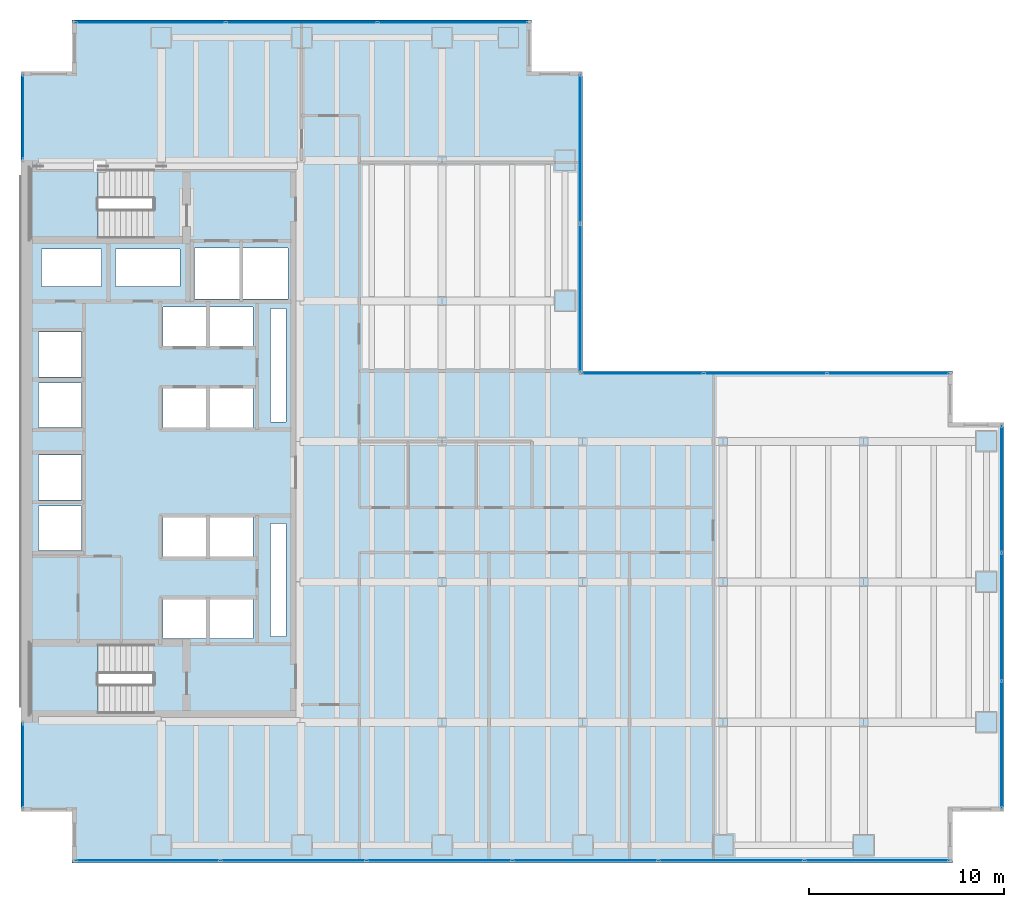
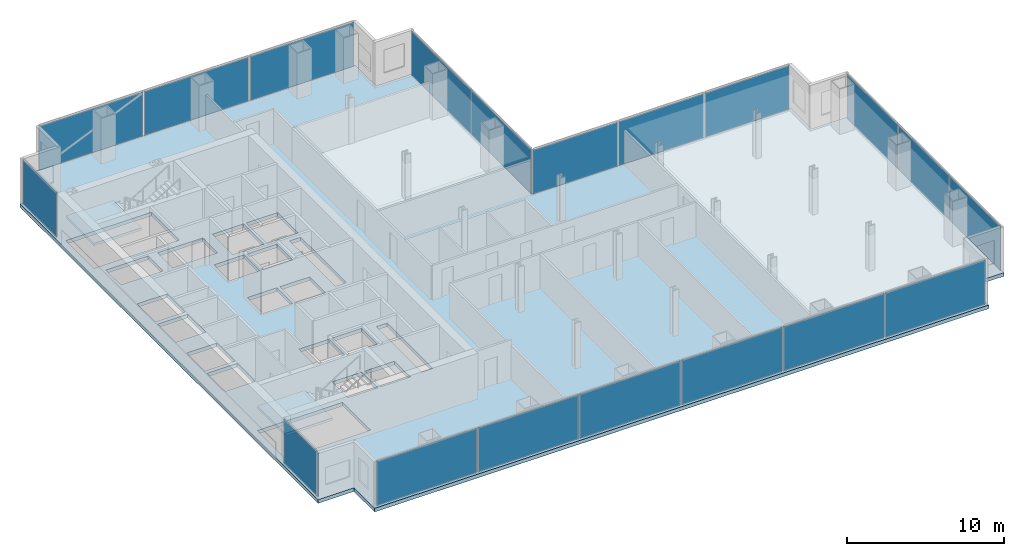
# One storey, part 19 of 25: 19 plates, 3 slabs, 20 openings, 9 elements without a shape of their own.
"""IFC4 building model written with IfcOpenShell, lengths in metres."""

from ifc_helpers import new_model, si_unit, direction, frame, origin, origin_2d, place, context, subcontext, project, spatial, polyline, rectangle, outline, extrude, material, layer, layer_set, type_object, element, aggregate, save


model = new_model("IFC4")

# Units and contexts
model_context = context("Model", 3, precision=1e-05, world=origin(), true_north=direction((0.0, 1.0)))
body_context = subcontext(model_context, "Body", "Model", "MODEL_VIEW")
ifc_project = project(units=[si_unit("LENGTHUNIT", "METRE"), si_unit("AREAUNIT", "SQUARE_METRE"), si_unit("VOLUMEUNIT", "CUBIC_METRE"), si_unit("PLANEANGLEUNIT", "RADIAN"), si_unit("MASSUNIT", "GRAM", prefix="KILO")], contexts=[model_context])

# Site, building, storey
site_placement = place(None, origin())
site = spatial("IfcSite", under=ifc_project, at=site_placement, CompositionType="ELEMENT")
building_placement = place(site_placement, origin())
building = spatial("IfcBuilding", under=site, at=building_placement, Name="Cobrela Telecom Tower", CompositionType="ELEMENT")
storey_placement = place(building_placement, frame((0.0, 0.0, 42.699951171875)))
storey = spatial("IfcBuildingStorey", under=building, at=storey_placement, Name="L10", CompositionType="ELEMENT", Elevation=42.699951171875)

# Curtain wall, plate
ifc_material_1 = material(Name="Anodized Bronze Aluminium 6063-T6", Category="aluminium")
curtain_wall_type = type_object("IfcCurtainWallType", Name="CW-SYS-DATA", PredefinedType="USERDEFINED", material=ifc_material_1)
curtain_wall_1_placement = place(storey_placement, origin())
curtain_wall_1 = element("IfcCurtainWall", 1, at=curtain_wall_1_placement, inside=storey, type_object=curtain_wall_type, Name="L10 Unitised Bronze Curtain Wall 03", ObjectType="UNITISED CURTAIN WALL", PredefinedType="USERDEFINED")
ifc_material_2 = material(Name="Solar-Control Bronze Low-E Glass", Category="glass")
ifc_layer_1 = layer(ifc_material_2, 0.0380859375)
ifc_layer_set_1 = layer_set([ifc_layer_1], Name="Solar-Control Bronze Low-E Glass")
plate_type = type_object("IfcPlateType", Name="CW-SYS-DATA-PNL", PredefinedType="CURTAIN_PANEL", material=ifc_layer_set_1)
plate_1_placement = place(storey_placement, frame((0.1201171875, 4.97509765625, 0.0751953125), z_axis=(0.0, 0.0, 1.0), x_axis=(0.0, 1.0, 0.0)))
plate_1 = element("IfcPlate", 2, at=plate_1_placement, type_object=plate_type, Name="CW-DATA panel 1.1", PredefinedType="CURTAIN_PANEL", context=body_context, shape_type="SweptSolid", body=[
    extrude(rectangle(XDim=4.2900390625, YDim=0.0380859375, at=origin_2d()), origin(), (0.0, 0.0, 1.0), 3.419921875),
])
aggregate(curtain_wall_1, [plate_1])

curtain_wall_2_placement = place(storey_placement, origin())
curtain_wall_2 = element("IfcCurtainWall", 3, at=curtain_wall_2_placement, inside=storey, type_object=curtain_wall_type, Name="L10 Unitised Bronze Curtain Wall 04", ObjectType="UNITISED CURTAIN WALL", PredefinedType="USERDEFINED")
plate_2_placement = place(storey_placement, frame((0.1201171875, 38.22509765625, 0.0751953125), z_axis=(0.0, 0.0, 1.0), x_axis=(0.0, 1.0, 0.0)))
plate_2 = element("IfcPlate", 4, at=plate_2_placement, type_object=plate_type, Name="CW-DATA panel 1.1", PredefinedType="CURTAIN_PANEL", context=body_context, shape_type="SweptSolid", body=[
    extrude(rectangle(XDim=4.2900390625, YDim=0.0380859375, at=origin_2d()), origin(), (0.0, 0.0, 1.0), 3.419921875),
])
aggregate(curtain_wall_2, [plate_2])

# Curtain wall, plates
curtain_wall_3_placement = place(storey_placement, origin())
curtain_wall_3 = element("IfcCurtainWall", 5, at=curtain_wall_3_placement, inside=storey, type_object=curtain_wall_type, Name="L10 Unitised Bronze Curtain Wall 07", ObjectType="UNITISED CURTAIN WALL", PredefinedType="USERDEFINED")
plate_3_placement = place(storey_placement, frame((6.6533203125, 43.080078125, 0.0751953125), z_axis=(0.0, 0.0, 1.0), x_axis=(1.0, 0.0, 0.0)))
plate_3 = element("IfcPlate", 6, at=plate_3_placement, type_object=plate_type, Name="CW-DATA panel 1.1", PredefinedType="CURTAIN_PANEL", context=body_context, shape_type="SweptSolid", body=[
    extrude(rectangle(XDim=7.646728515625, YDim=0.0380859375, at=origin_2d()), origin(), (0.0, 0.0, 1.0), 3.419921875),
])
plate_4_placement = place(storey_placement, frame((14.39990234375, 43.080078125, 0.0751953125), z_axis=(0.0, 0.0, 1.0), x_axis=(1.0, 0.0, 0.0)))
plate_4 = element("IfcPlate", 7, at=plate_4_placement, type_object=plate_type, Name="CW-DATA panel 2.1", PredefinedType="CURTAIN_PANEL", context=body_context, shape_type="SweptSolid", body=[
    extrude(rectangle(XDim=7.686767578125, YDim=0.0380859375, at=origin_2d()), origin(), (0.0, 0.0, 1.0), 3.419921875),
])
plate_5_placement = place(storey_placement, frame((22.146728515625, 43.080078125, 0.0751953125), z_axis=(0.0, 0.0, 1.0), x_axis=(1.0, 0.0, 0.0)))
plate_5 = element("IfcPlate", 8, at=plate_5_placement, type_object=plate_type, Name="CW-DATA panel 3.1", PredefinedType="CURTAIN_PANEL", context=body_context, shape_type="SweptSolid", body=[
    extrude(rectangle(XDim=7.646728515625, YDim=0.0380859375, at=origin_2d()), origin(), (0.0, 0.0, 1.0), 3.419921875),
])
aggregate(curtain_wall_3, [plate_3, plate_4, plate_5])

curtain_wall_4_placement = place(storey_placement, origin())
curtain_wall_4 = element("IfcCurtainWall", 9, at=curtain_wall_4_placement, inside=storey, type_object=curtain_wall_type, Name="L10 Unitised Bronze Curtain Wall 10", ObjectType="UNITISED CURTAIN WALL", PredefinedType="USERDEFINED")
plate_6_placement = place(storey_placement, frame((28.679931640625, 36.58740234375, 0.0751953125), z_axis=(0.0, 0.0, 1.0), x_axis=(0.0, -1.0, 0.0)))
plate_6 = element("IfcPlate", 10, at=plate_6_placement, type_object=plate_type, Name="CW-DATA panel 1.1", PredefinedType="CURTAIN_PANEL", context=body_context, shape_type="SweptSolid", body=[
    extrude(rectangle(XDim=7.56494140625, YDim=0.0380859375, at=origin_2d()), origin(), (0.0, 0.0, 1.0), 3.419921875),
])
plate_7_placement = place(storey_placement, frame((28.679931640625, 28.9423828125, 0.0751953125), z_axis=(0.0, 0.0, 1.0), x_axis=(0.0, -1.0, 0.0)))
plate_7 = element("IfcPlate", 11, at=plate_7_placement, type_object=plate_type, Name="CW-DATA panel 2.1", PredefinedType="CURTAIN_PANEL", context=body_context, shape_type="SweptSolid", body=[
    extrude(rectangle(XDim=7.56494140625, YDim=0.0380859375, at=origin_2d()), origin(), (0.0, 0.0, 1.0), 3.419921875),
])
aggregate(curtain_wall_4, [plate_6, plate_7])

curtain_wall_5_placement = place(storey_placement, origin())
curtain_wall_5 = element("IfcCurtainWall", 12, at=curtain_wall_5_placement, inside=storey, type_object=curtain_wall_type, Name="L10 Unitised Bronze Curtain Wall 11", ObjectType="UNITISED CURTAIN WALL", PredefinedType="USERDEFINED")
plate_8_placement = place(storey_placement, frame((31.861572265625, 25.080078125, 0.0751953125), z_axis=(0.0, 0.0, 1.0), x_axis=(1.0, 0.0, 0.0)))
plate_8 = element("IfcPlate", 13, at=plate_8_placement, type_object=plate_type, Name="CW-DATA panel 1.1", PredefinedType="CURTAIN_PANEL", context=body_context, shape_type="SweptSolid", body=[
    extrude(rectangle(XDim=6.203369140625, YDim=0.0380859375, at=origin_2d()), origin(), (0.0, 0.0, 1.0), 3.419921875),
])
plate_9_placement = place(storey_placement, frame((38.1650390625, 25.080078125, 0.0751953125), z_axis=(0.0, 0.0, 1.0), x_axis=(1.0, 0.0, 0.0)))
plate_9 = element("IfcPlate", 14, at=plate_9_placement, type_object=plate_type, Name="CW-DATA panel 2.1", PredefinedType="CURTAIN_PANEL", context=body_context, shape_type="SweptSolid", body=[
    extrude(rectangle(XDim=6.243408203125, YDim=0.0380859375, at=origin_2d()), origin(), (0.0, 0.0, 1.0), 3.419921875),
])
plate_10_placement = place(storey_placement, frame((44.46826171875, 25.080078125, 0.0751953125), z_axis=(0.0, 0.0, 1.0), x_axis=(1.0, 0.0, 0.0)))
plate_10 = element("IfcPlate", 15, at=plate_10_placement, type_object=plate_type, Name="CW-DATA panel 3.1", PredefinedType="CURTAIN_PANEL", context=body_context, shape_type="SweptSolid", body=[
    extrude(rectangle(XDim=6.203369140625, YDim=0.0380859375, at=origin_2d()), origin(), (0.0, 0.0, 1.0), 3.419921875),
])
aggregate(curtain_wall_5, [plate_8, plate_9, plate_10])

curtain_wall_6_placement = place(storey_placement, origin())
curtain_wall_6 = element("IfcCurtainWall", 16, at=curtain_wall_6_placement, inside=storey, type_object=curtain_wall_type, Name="L10 Unitised Bronze Curtain Wall 14", ObjectType="UNITISED CURTAIN WALL", PredefinedType="USERDEFINED")
plate_11_placement = place(storey_placement, frame((50.280029296875, 19.146728515625, 0.0751953125), z_axis=(0.0, 0.0, 1.0), x_axis=(0.0, -1.0, 0.0)))
plate_11 = element("IfcPlate", 17, at=plate_11_placement, type_object=plate_type, Name="CW-DATA panel 1.1", PredefinedType="CURTAIN_PANEL", context=body_context, shape_type="SweptSolid", body=[
    extrude(rectangle(XDim=6.44677734375, YDim=0.0380859375, at=origin_2d()), origin(), (0.0, 0.0, 1.0), 3.419921875),
])
plate_12_placement = place(storey_placement, frame((50.280029296875, 12.60009765625, 0.0751953125), z_axis=(0.0, 0.0, 1.0), x_axis=(0.0, -1.0, 0.0)))
plate_12 = element("IfcPlate", 18, at=plate_12_placement, type_object=plate_type, Name="CW-DATA panel 2.1", PredefinedType="CURTAIN_PANEL", context=body_context, shape_type="SweptSolid", body=[
    extrude(rectangle(XDim=6.486572265625, YDim=0.0380859375, at=origin_2d()), origin(), (0.0, 0.0, 1.0), 3.419921875),
])
plate_13_placement = place(storey_placement, frame((50.280029296875, 6.05322265625, 0.0751953125), z_axis=(0.0, 0.0, 1.0), x_axis=(0.0, -1.0, 0.0)))
plate_13 = element("IfcPlate", 19, at=plate_13_placement, type_object=plate_type, Name="CW-DATA panel 3.1", PredefinedType="CURTAIN_PANEL", context=body_context, shape_type="SweptSolid", body=[
    extrude(rectangle(XDim=6.44677734375, YDim=0.0380859375, at=origin_2d()), origin(), (0.0, 0.0, 1.0), 3.419921875),
])
aggregate(curtain_wall_6, [plate_11, plate_12, plate_13])

curtain_wall_7_placement = place(storey_placement, origin())
curtain_wall_7 = element("IfcCurtainWall", 20, at=curtain_wall_7_placement, inside=storey, type_object=curtain_wall_type, Name="L10 Unitised Bronze Curtain Wall 17", ObjectType="UNITISED CURTAIN WALL", PredefinedType="USERDEFINED")
plate_14_placement = place(storey_placement, frame((43.888427734375, 0.1201171875, 0.0751953125), z_axis=(0.0, 0.0, 1.0), x_axis=(-1.0, 0.0, 0.0)))
plate_14 = element("IfcPlate", 21, at=plate_14_placement, type_object=plate_type, Name="CW-DATA panel 1.1", PredefinedType="CURTAIN_PANEL", context=body_context, shape_type="SweptSolid", body=[
    extrude(rectangle(XDim=7.36328125, YDim=0.0380859375, at=origin_2d()), origin(), (0.0, 0.0, 1.0), 3.419921875),
])
plate_15_placement = place(storey_placement, frame((36.425048828125, 0.1201171875, 0.0751953125), z_axis=(0.0, 0.0, 1.0), x_axis=(-1.0, 0.0, 0.0)))
plate_15 = element("IfcPlate", 22, at=plate_15_placement, type_object=plate_type, Name="CW-DATA panel 2.1", PredefinedType="CURTAIN_PANEL", context=body_context, shape_type="SweptSolid", body=[
    extrude(rectangle(XDim=7.4033203125, YDim=0.0380859375, at=origin_2d()), origin(), (0.0, 0.0, 1.0), 3.419921875),
])
plate_16_placement = place(storey_placement, frame((28.941650390625, 0.1201171875, 0.0751953125), z_axis=(0.0, 0.0, 1.0), x_axis=(-1.0, 0.0, 0.0)))
plate_16 = element("IfcPlate", 23, at=plate_16_placement, type_object=plate_type, Name="CW-DATA panel 3.1", PredefinedType="CURTAIN_PANEL", context=body_context, shape_type="SweptSolid", body=[
    extrude(rectangle(XDim=7.4033203125, YDim=0.0380859375, at=origin_2d()), origin(), (0.0, 0.0, 1.0), 3.419921875),
])
plate_17_placement = place(storey_placement, frame((21.458251953125, 0.1201171875, 0.0751953125), z_axis=(0.0, 0.0, 1.0), x_axis=(-1.0, 0.0, 0.0)))
plate_17 = element("IfcPlate", 24, at=plate_17_placement, type_object=plate_type, Name="CW-DATA panel 4.1", PredefinedType="CURTAIN_PANEL", context=body_context, shape_type="SweptSolid", body=[
    extrude(rectangle(XDim=7.4033203125, YDim=0.0380859375, at=origin_2d()), origin(), (0.0, 0.0, 1.0), 3.419921875),
])
plate_18_placement = place(storey_placement, frame((13.97509765625, 0.1201171875, 0.0751953125), z_axis=(0.0, 0.0, 1.0), x_axis=(-1.0, 0.0, 0.0)))
plate_18 = element("IfcPlate", 25, at=plate_18_placement, type_object=plate_type, Name="CW-DATA panel 5.1", PredefinedType="CURTAIN_PANEL", context=body_context, shape_type="SweptSolid", body=[
    extrude(rectangle(XDim=7.4033203125, YDim=0.0380859375, at=origin_2d()), origin(), (0.0, 0.0, 1.0), 3.419921875),
])
plate_19_placement = place(storey_placement, frame((6.51171875, 0.1201171875, 0.0751953125), z_axis=(0.0, 0.0, 1.0), x_axis=(-1.0, 0.0, 0.0)))
plate_19 = element("IfcPlate", 26, at=plate_19_placement, type_object=plate_type, Name="CW-DATA panel 6.1", PredefinedType="CURTAIN_PANEL", context=body_context, shape_type="SweptSolid", body=[
    extrude(rectangle(XDim=7.36328125, YDim=0.0380859375, at=origin_2d()), origin(), (0.0, 0.0, 1.0), 3.419921875),
])
aggregate(curtain_wall_7, [plate_14, plate_15, plate_16, plate_17, plate_18, plate_19])

# Slab, openings
ifc_material_3 = material(Name="Concrete C40/50", Category="concrete")
ifc_layer_2 = layer(ifc_material_3, 0.280029296875)
ifc_layer_set_2 = layer_set([ifc_layer_2], Name="Concrete C40/50")
slab_type_1 = type_object("IfcSlabType", Name="SLAB-FLR-280", PredefinedType="FLOOR", material=ifc_layer_set_2)
slab_1_placement = place(storey_placement, frame((0.0, 0.0, -0.280029296875)))
slab_1 = element("IfcSlab", 27, at=slab_1_placement, inside=storey, type_object=slab_type_1, Name="L10 Structural Floor Slab", PredefinedType="FLOOR", context=body_context, shape_type="SweptSolid", body=[
    extrude(outline(polyline([(2.6298828125, 0.0), (47.77001953125, 0.0), (47.77001953125, 2.6298828125), (50.39990234375, 2.6298828125), (50.39990234375, 22.570068359375), (47.77001953125, 22.570068359375), (47.77001953125, 25.199951171875), (28.800048828125, 25.199951171875), (28.800048828125, 40.570068359375), (26.169921875, 40.570068359375), (26.169921875, 43.199951171875), (2.6298828125, 43.199951171875), (2.6298828125, 40.570068359375), (0.0, 40.570068359375), (0.0, 2.6298828125), (2.6298828125, 2.6298828125), (2.6298828125, 0.0)])), origin(), (0.0, 0.0, 1.0), 0.280029296875),
])
opening_1_placement = place(slab_1_placement, frame((0.0, 0.0, -0.02001953125)))
element("IfcOpeningElement", 28, at=opening_1_placement, cuts=slab_1, Name="Slab Shaft Opening SLAB-L10-MAIN.1", PredefinedType="OPENING", context=body_context, shape_type="SweptSolid", body=[
    extrude(outline(polyline([(8.89990234375, 28.89990234375), (11.199951171875, 28.89990234375), (11.199951171875, 31.5), (8.89990234375, 31.5), (8.89990234375, 28.89990234375)])), origin(), (0.0, 0.0, 1.0), 0.320068359375),
])
opening_2_placement = place(slab_1_placement, frame((0.0, 0.0, -0.02001953125)))
element("IfcOpeningElement", 29, at=opening_2_placement, cuts=slab_1, Name="Slab Shaft Opening SLAB-L10-MAIN.2", PredefinedType="OPENING", context=body_context, shape_type="SweptSolid", body=[
    extrude(outline(polyline([(11.39990234375, 28.89990234375), (13.699951171875, 28.89990234375), (13.699951171875, 31.5), (11.39990234375, 31.5), (11.39990234375, 28.89990234375)])), origin(), (0.0, 0.0, 1.0), 0.320068359375),
])
opening_3_placement = place(slab_1_placement, frame((0.0, 0.0, -0.02001953125)))
element("IfcOpeningElement", 30, at=opening_3_placement, cuts=slab_1, Name="Slab Shaft Opening SLAB-L10-MAIN.3", PredefinedType="OPENING", context=body_context, shape_type="SweptSolid", body=[
    extrude(outline(polyline([(7.300048828125, 22.300048828125), (9.5, 22.300048828125), (9.5, 24.300048828125), (7.300048828125, 24.300048828125), (7.300048828125, 22.300048828125)])), origin(), (0.0, 0.0, 1.0), 0.320068359375),
])
opening_4_placement = place(slab_1_placement, frame((0.0, 0.0, -0.02001953125)))
element("IfcOpeningElement", 31, at=opening_4_placement, cuts=slab_1, Name="Slab Shaft Opening SLAB-L10-MAIN.4", PredefinedType="OPENING", context=body_context, shape_type="SweptSolid", body=[
    extrude(outline(polyline([(9.699951171875, 22.300048828125), (11.89990234375, 22.300048828125), (11.89990234375, 24.300048828125), (9.699951171875, 24.300048828125), (9.699951171875, 22.300048828125)])), origin(), (0.0, 0.0, 1.0), 0.320068359375),
])
opening_5_placement = place(slab_1_placement, frame((0.0, 0.0, -0.02001953125)))
element("IfcOpeningElement", 32, at=opening_5_placement, cuts=slab_1, Name="Slab Shaft Opening SLAB-L10-MAIN.5", PredefinedType="OPENING", context=body_context, shape_type="SweptSolid", body=[
    extrude(outline(polyline([(7.300048828125, 26.5), (9.5, 26.5), (9.5, 28.5), (7.300048828125, 28.5), (7.300048828125, 26.5)])), origin(), (0.0, 0.0, 1.0), 0.320068359375),
])
opening_6_placement = place(slab_1_placement, frame((0.0, 0.0, -0.02001953125)))
element("IfcOpeningElement", 33, at=opening_6_placement, cuts=slab_1, Name="Slab Shaft Opening SLAB-L10-MAIN.6", PredefinedType="OPENING", context=body_context, shape_type="SweptSolid", body=[
    extrude(outline(polyline([(9.699951171875, 26.5), (11.89990234375, 26.5), (11.89990234375, 28.5), (9.699951171875, 28.5), (9.699951171875, 26.5)])), origin(), (0.0, 0.0, 1.0), 0.320068359375),
])
opening_7_placement = place(slab_1_placement, frame((0.0, 0.0, -0.02001953125)))
element("IfcOpeningElement", 34, at=opening_7_placement, cuts=slab_1, Name="Slab Shaft Opening SLAB-L10-MAIN.7", PredefinedType="OPENING", context=body_context, shape_type="SweptSolid", body=[
    extrude(outline(polyline([(7.300048828125, 15.699951171875), (9.5, 15.699951171875), (9.5, 17.699951171875), (7.300048828125, 17.699951171875), (7.300048828125, 15.699951171875)])), origin(), (0.0, 0.0, 1.0), 0.320068359375),
])
opening_8_placement = place(slab_1_placement, frame((0.0, 0.0, -0.02001953125)))
element("IfcOpeningElement", 35, at=opening_8_placement, cuts=slab_1, Name="Slab Shaft Opening SLAB-L10-MAIN.8", PredefinedType="OPENING", context=body_context, shape_type="SweptSolid", body=[
    extrude(outline(polyline([(9.699951171875, 15.699951171875), (11.89990234375, 15.699951171875), (11.89990234375, 17.699951171875), (9.699951171875, 17.699951171875), (9.699951171875, 15.699951171875)])), origin(), (0.0, 0.0, 1.0), 0.320068359375),
])
opening_9_placement = place(slab_1_placement, frame((0.0, 0.0, -0.02001953125)))
element("IfcOpeningElement", 36, at=opening_9_placement, cuts=slab_1, Name="Slab Shaft Opening SLAB-L10-MAIN.9", PredefinedType="OPENING", context=body_context, shape_type="SweptSolid", body=[
    extrude(outline(polyline([(7.300048828125, 11.5), (9.5, 11.5), (9.5, 13.5), (7.300048828125, 13.5), (7.300048828125, 11.5)])), origin(), (0.0, 0.0, 1.0), 0.320068359375),
])
opening_10_placement = place(slab_1_placement, frame((0.0, 0.0, -0.02001953125)))
element("IfcOpeningElement", 37, at=opening_10_placement, cuts=slab_1, Name="Slab Shaft Opening SLAB-L10-MAIN.10", PredefinedType="OPENING", context=body_context, shape_type="SweptSolid", body=[
    extrude(outline(polyline([(9.699951171875, 11.5), (11.89990234375, 11.5), (11.89990234375, 13.5), (9.699951171875, 13.5), (9.699951171875, 11.5)])), origin(), (0.0, 0.0, 1.0), 0.320068359375),
])
opening_11_placement = place(slab_1_placement, frame((0.0, 0.0, -0.02001953125)))
element("IfcOpeningElement", 38, at=opening_11_placement, cuts=slab_1, Name="Slab Shaft Opening SLAB-L10-MAIN.11", PredefinedType="OPENING", context=body_context, shape_type="SweptSolid", body=[
    extrude(outline(polyline([(0.89990234375, 16.0), (3.10009765625, 16.0), (3.10009765625, 18.300048828125), (0.89990234375, 18.300048828125), (0.89990234375, 16.0)])), origin(), (0.0, 0.0, 1.0), 0.320068359375),
])
opening_12_placement = place(slab_1_placement, frame((0.0, 0.0, -0.02001953125)))
element("IfcOpeningElement", 39, at=opening_12_placement, cuts=slab_1, Name="Slab Shaft Opening SLAB-L10-MAIN.12", PredefinedType="OPENING", context=body_context, shape_type="SweptSolid", body=[
    extrude(outline(polyline([(0.89990234375, 18.60009765625), (3.10009765625, 18.60009765625), (3.10009765625, 20.89990234375), (0.89990234375, 20.89990234375), (0.89990234375, 18.60009765625)])), origin(), (0.0, 0.0, 1.0), 0.320068359375),
])
opening_13_placement = place(slab_1_placement, frame((0.0, 0.0, -0.02001953125)))
element("IfcOpeningElement", 40, at=opening_13_placement, cuts=slab_1, Name="Slab Shaft Opening SLAB-L10-MAIN.13", PredefinedType="OPENING", context=body_context, shape_type="SweptSolid", body=[
    extrude(outline(polyline([(0.89990234375, 22.300048828125), (3.10009765625, 22.300048828125), (3.10009765625, 24.60009765625), (0.89990234375, 24.60009765625), (0.89990234375, 22.300048828125)])), origin(), (0.0, 0.0, 1.0), 0.320068359375),
])
opening_14_placement = place(slab_1_placement, frame((0.0, 0.0, -0.02001953125)))
element("IfcOpeningElement", 41, at=opening_14_placement, cuts=slab_1, Name="Slab Shaft Opening SLAB-L10-MAIN.14", PredefinedType="OPENING", context=body_context, shape_type="SweptSolid", body=[
    extrude(outline(polyline([(0.89990234375, 24.89990234375), (3.10009765625, 24.89990234375), (3.10009765625, 27.199951171875), (0.89990234375, 27.199951171875), (0.89990234375, 24.89990234375)])), origin(), (0.0, 0.0, 1.0), 0.320068359375),
])
opening_15_placement = place(slab_1_placement, frame((0.0, 0.0, -0.02001953125)))
element("IfcOpeningElement", 42, at=opening_15_placement, cuts=slab_1, Name="Slab Shaft Opening SLAB-L10-MAIN.15", PredefinedType="OPENING", context=body_context, shape_type="SweptSolid", body=[
    extrude(outline(polyline([(1.050048828125, 29.550048828125), (4.14990234375, 29.550048828125), (4.14990234375, 31.449951171875), (1.050048828125, 31.449951171875), (1.050048828125, 29.550048828125)])), origin(), (0.0, 0.0, 1.0), 0.320068359375),
])
opening_16_placement = place(slab_1_placement, frame((0.0, 0.0, -0.02001953125)))
element("IfcOpeningElement", 43, at=opening_16_placement, cuts=slab_1, Name="Slab Shaft Opening SLAB-L10-MAIN.16", PredefinedType="OPENING", context=body_context, shape_type="SweptSolid", body=[
    extrude(outline(polyline([(4.85009765625, 29.550048828125), (8.14990234375, 29.550048828125), (8.14990234375, 31.449951171875), (4.85009765625, 31.449951171875), (4.85009765625, 29.550048828125)])), origin(), (0.0, 0.0, 1.0), 0.320068359375),
])
opening_17_placement = place(slab_1_placement, frame((0.0, 0.0, -0.02001953125)))
element("IfcOpeningElement", 44, at=opening_17_placement, cuts=slab_1, Name="Slab Shaft Opening SLAB-L10-MAIN.17", PredefinedType="OPENING", context=body_context, shape_type="SweptSolid", body=[
    extrude(outline(polyline([(12.800048828125, 22.60009765625), (13.60009765625, 22.60009765625), (13.60009765625, 28.39990234375), (12.800048828125, 28.39990234375), (12.800048828125, 22.60009765625)])), origin(), (0.0, 0.0, 1.0), 0.320068359375),
])
opening_18_placement = place(slab_1_placement, frame((0.0, 0.0, -0.02001953125)))
element("IfcOpeningElement", 45, at=opening_18_placement, cuts=slab_1, Name="Slab Shaft Opening SLAB-L10-MAIN.18", PredefinedType="OPENING", context=body_context, shape_type="SweptSolid", body=[
    extrude(outline(polyline([(12.800048828125, 11.60009765625), (13.60009765625, 11.60009765625), (13.60009765625, 17.39990234375), (12.800048828125, 17.39990234375), (12.800048828125, 11.60009765625)])), origin(), (0.0, 0.0, 1.0), 0.320068359375),
])
opening_19_placement = place(slab_1_placement, frame((0.0, 0.0, -0.02001953125)))
element("IfcOpeningElement", 46, at=opening_19_placement, cuts=slab_1, Name="Slab Shaft Opening SLAB-L10-MAIN.19", PredefinedType="OPENING", context=body_context, shape_type="SweptSolid", body=[
    extrude(outline(polyline([(6.7548828125, 35.550048828125), (0.47998046875, 35.550048828125), (0.47998046875, 32.0), (6.7548828125, 32.0), (6.7548828125, 35.550048828125)])), origin(), (0.0, 0.0, 1.0), 0.320068359375),
])
opening_20_placement = place(slab_1_placement, frame((0.0, 0.0, -0.02001953125)))
element("IfcOpeningElement", 47, at=opening_20_placement, cuts=slab_1, Name="Slab Shaft Opening SLAB-L10-MAIN.20", PredefinedType="OPENING", context=body_context, shape_type="SweptSolid", body=[
    extrude(outline(polyline([(6.7548828125, 11.199951171875), (0.47998046875, 11.199951171875), (0.47998046875, 7.64990234375), (6.7548828125, 7.64990234375), (6.7548828125, 11.199951171875)])), origin(), (0.0, 0.0, 1.0), 0.320068359375),
])

# Stair, slab
stair_type = type_object("IfcStairType", Name="STAIR-CORE", PredefinedType="HALF_TURN_STAIR", material=ifc_material_3)
stair_1_placement = place(storey_placement, origin())
stair_1 = element("IfcStair", 48, at=stair_1_placement, inside=storey, type_object=stair_type, Name="L10 Smokeproof Exit Stair ST1", PredefinedType="HALF_TURN_STAIR")
ifc_layer_3 = layer(ifc_material_3, 0.199951171875)
ifc_layer_set_3 = layer_set([ifc_layer_3], Name="Concrete C40/50")
slab_type_2 = type_object("IfcSlabType", Name="SLAB-LAND-200", PredefinedType="LANDING", material=ifc_layer_set_3)
slab_2_placement = place(storey_placement, frame((0.0, 0.0, 1.72509765625)))
slab_2 = element("IfcSlab", 49, at=slab_2_placement, type_object=slab_type_2, Name="ST1 landing 1", PredefinedType="LANDING", context=body_context, shape_type="SweptSolid", body=[
    extrude(outline(polyline([(3.969970703125, 35.550048828125), (0.47998046875, 35.550048828125), (0.47998046875, 32.0), (3.969970703125, 32.0), (3.969970703125, 35.550048828125)])), origin(), (0.0, 0.0, 1.0), 0.199951171875),
])
aggregate(stair_1, [slab_2])

stair_2_placement = place(storey_placement, origin())
stair_2 = element("IfcStair", 50, at=stair_2_placement, inside=storey, type_object=stair_type, Name="L10 Smokeproof Exit Stair ST2", PredefinedType="HALF_TURN_STAIR")
slab_3_placement = place(storey_placement, frame((0.0, 0.0, 1.72509765625)))
slab_3 = element("IfcSlab", 51, at=slab_3_placement, type_object=slab_type_2, Name="ST2 landing 1", PredefinedType="LANDING", context=body_context, shape_type="SweptSolid", body=[
    extrude(outline(polyline([(3.969970703125, 11.199951171875), (0.47998046875, 11.199951171875), (0.47998046875, 7.64990234375), (3.969970703125, 7.64990234375), (3.969970703125, 11.199951171875)])), origin(), (0.0, 0.0, 1.0), 0.199951171875),
])
aggregate(stair_2, [slab_3])

save(model, "model.ifc")
